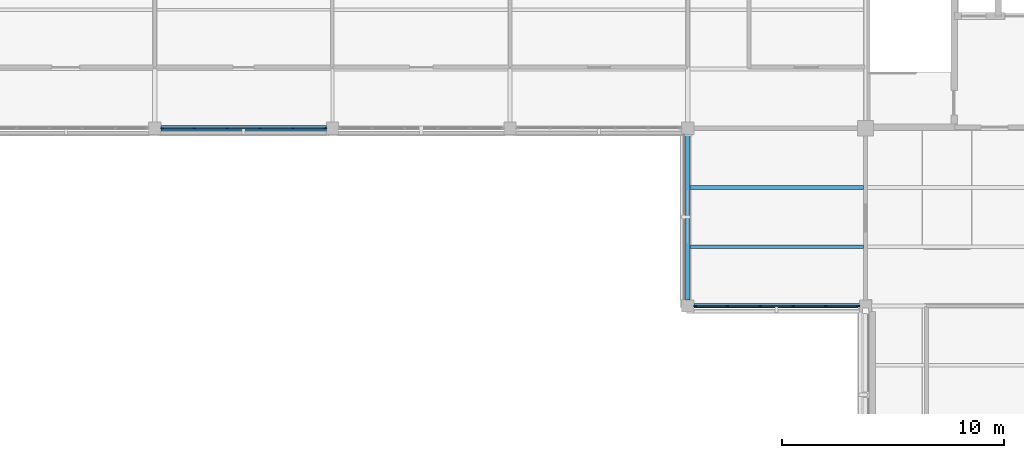
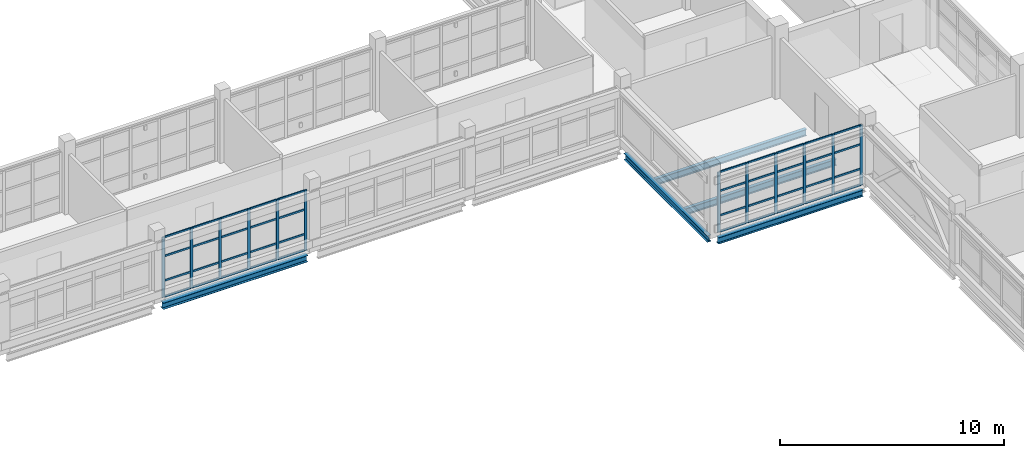
# One storey, part 10 of 92: 52 members, 5 beams, 2 elements without a shape of their own.
"""IFC4 building model written with IfcOpenShell, lengths in metres."""

import ifcopenshell
import ifcopenshell.guid

model = None  # the IFC model being written
_history = None  # IfcOwnerHistory: only IFC2X3 demands one
_inside = {}  # id of a spatial element -> (the spatial element, [elements in it])
_under = {}  # id of a project, library or spatial element -> (it, [spatial elements below it])
_declared = {}  # id of a project -> (the project, [libraries it declares])
_typed = {}  # id of a type object -> (the type object, [elements of that type])
_made_of = {}  # id of a material, layer set ... -> (it, [elements and type objects made of it])


def new_model(schema):
    """Start an empty IFC model of exactly this schema.

    Asked for "IFC4X3", IfcOpenShell would pick the latest addendum, in which some entities
    have other attributes; the version numbers below select the first issue.
    IFC2X3 requires an IfcOwnerHistory on every rooted entity: one is made here for all.
    """
    global model, _history
    if schema == "IFC4X3":
        model = ifcopenshell.file(schema_version=(4, 3, 0, 0))
    else:
        model = ifcopenshell.file(schema=schema)
    _inside.clear()
    _under.clear()
    _declared.clear()
    _typed.clear()
    _made_of.clear()
    _history = None
    if model.schema == "IFC2X3":
        org = make("IfcOrganization", Name="unknown")
        user = make(
            "IfcPersonAndOrganization",
            ThePerson=make("IfcPerson", FamilyName="unknown"),
            TheOrganization=org,
        )
        app = make(
            "IfcApplication",
            ApplicationDeveloper=org,
            Version="unknown",
            ApplicationFullName="unknown",
            ApplicationIdentifier="unknown",
        )
        _history = make(
            "IfcOwnerHistory",
            OwningUser=user,
            OwningApplication=app,
            ChangeAction="ADDED",
            CreationDate=0,
        )
    return model


def make(cls, **values):
    """One entity of the class cls with the attributes given. An attribute that is None is left unset."""
    return model.create_entity(
        cls, **{name: value for name, value in values.items() if value is not None}
    )


def rooted(cls, **values):
    """An entity with a GlobalId (a new one), such as an element, a storey or a relation."""
    return make(cls, GlobalId=ifcopenshell.guid.new(), OwnerHistory=_history, **values)


def si_unit(unit_type, name, prefix=None):
    """IfcSIUnit, for example si_unit("LENGTHUNIT", "METRE", prefix="MILLI")."""
    return make("IfcSIUnit", UnitType=unit_type, Prefix=prefix, Name=name)


def derived_unit(unit_type, elements):
    """IfcDerivedUnit: a product of units, each with its exponent."""
    return make(
        "IfcDerivedUnit",
        Elements=[
            make("IfcDerivedUnitElement", Unit=unit, Exponent=power)
            for unit, power in elements
        ],
        UnitType=unit_type,
    )


def assignment(units):
    """IfcUnitAssignment: the units of a project."""
    return None if units is None else make("IfcUnitAssignment", Units=units)


def point(xyz):
    """IfcCartesianPoint."""
    return None if xyz is None else make("IfcCartesianPoint", Coordinates=xyz)


def direction(xyz):
    """IfcDirection."""
    return None if xyz is None else make("IfcDirection", DirectionRatios=xyz)


def frame(location, z_axis=None, x_axis=None):
    """IfcAxis2Placement3D, a coordinate frame: its origin and axes. An axis left out is left unset."""
    return make(
        "IfcAxis2Placement3D",
        Location=point(location),
        Axis=direction(z_axis),
        RefDirection=direction(x_axis),
    )


def frame_2d(location, x_axis=None):
    """IfcAxis2Placement2D, a coordinate frame in the plane: its origin and x axis."""
    return make(
        "IfcAxis2Placement2D", Location=point(location), RefDirection=direction(x_axis)
    )


def origin():
    """The frame at (0, 0, 0) with its axes left unset."""
    return frame((0.0, 0.0, 0.0))


def origin_2d():
    """The frame at (0, 0) in the plane with its x axis left unset."""
    return frame_2d((0.0, 0.0))


def place(relative_to, where):
    """IfcLocalPlacement: puts the frame where relative to a parent placement (None: the world)."""
    return make(
        "IfcLocalPlacement", PlacementRelTo=relative_to, RelativePlacement=where
    )


def context(
    kind, dimensions, precision=None, world=None, true_north=None, identifier=None
):
    """IfcGeometricRepresentationContext, for example the 3D "Model" context."""
    return make(
        "IfcGeometricRepresentationContext",
        ContextIdentifier=identifier,
        ContextType=kind,
        CoordinateSpaceDimension=dimensions,
        Precision=precision,
        WorldCoordinateSystem=world,
        TrueNorth=true_north,
    )


def subcontext(parent, identifier, kind, view, scale=None):
    """IfcGeometricRepresentationSubContext, for example "Body" below "Model"."""
    return make(
        "IfcGeometricRepresentationSubContext",
        ContextIdentifier=identifier,
        ContextType=kind,
        ParentContext=parent,
        TargetScale=scale,
        TargetView=view,
    )


def project(units=None, contexts=None):
    """IfcProject with its units and contexts."""
    return rooted(
        "IfcProject",
        Name="project",
        RepresentationContexts=contexts,
        UnitsInContext=assignment(units),
    )


def spatial(cls, under=None, at=None, **own):
    """A site, building, storey or space (cls), placed at a placement, below another one or the project."""
    s = rooted(cls, ObjectPlacement=at, **own)
    if under is not None:
        _under.setdefault(under.id(), (under, []))[1].append(s)
    return s


def profile(cls, at=None, kind="AREA", **sizes):
    """A parametric profile (cls). Its sizes go by their IFC names, for example OverallWidth=200.0."""
    return make(cls, ProfileType=kind, Position=at, **sizes)


def rectangle(**sizes):
    """IfcRectangleProfileDef."""
    return profile("IfcRectangleProfileDef", **sizes)


def i_section(**sizes):
    """IfcIShapeProfileDef."""
    return profile("IfcIShapeProfileDef", **sizes)


def extrude(swept, where, along, depth):
    """IfcExtrudedAreaSolid: the profile swept, set in the frame where, extruded along a direction by depth."""
    return make(
        "IfcExtrudedAreaSolid",
        SweptArea=swept,
        Position=where,
        ExtrudedDirection=direction(along),
        Depth=depth,
    )


def shape(context_of_items, identifier, shape_type, items):
    """IfcShapeRepresentation: the items that make up one representation, for example the "Body"."""
    return make(
        "IfcShapeRepresentation",
        ContextOfItems=context_of_items,
        RepresentationIdentifier=identifier,
        RepresentationType=shape_type,
        Items=items,
    )


def material(Name=None, Category=None):
    """IfcMaterial."""
    return make("IfcMaterial", Name=Name, Category=Category)


def layer(
    of_material, thickness, ventilated=None, Name=None, Category=None, Priority=None
):
    """IfcMaterialLayer: one layer of a wall or slab, of a material (None: an air gap)."""
    return make(
        "IfcMaterialLayer",
        Material=of_material,
        LayerThickness=thickness,
        IsVentilated=ventilated,
        Name=Name,
        Category=Category,
        Priority=Priority,
    )


def layer_set(layers, Name=None):
    """IfcMaterialLayerSet."""
    return make("IfcMaterialLayerSet", MaterialLayers=layers, LayerSetName=Name)


def material_profile(
    of_material, cross_section, Name=None, Category=None, Priority=None
):
    """IfcMaterialProfile: a cross section and its material."""
    return make(
        "IfcMaterialProfile",
        Name=Name,
        Material=of_material,
        Profile=cross_section,
        Priority=Priority,
        Category=Category,
    )


def profile_set(profiles, Name=None, composite=None):
    """IfcMaterialProfileSet."""
    return make(
        "IfcMaterialProfileSet",
        Name=Name,
        MaterialProfiles=profiles,
        CompositeProfile=composite,
    )


def made_of(thing, what):
    """Note that an element or type object is made of a material, layer set ...; save() writes the relation."""
    if what is not None:
        _made_of.setdefault(what.id(), (what, []))[1].append(thing)
    return thing


def type_object(cls, material=None, **own):
    """A type object (cls), such as IfcWallType, which elements share."""
    return made_of(rooted(cls, **own), material)


def element(
    cls,
    number,
    at=None,
    inside=None,
    cuts=None,
    type_object=None,
    material=None,
    context=None,
    identifier="Body",
    shape_type=None,
    held_by="IfcProductDefinitionShape",
    body=None,
    shapes=None,
    **own,
):
    """One element of the class cls, such as IfcWall. Its Tag is "e" and its number.

    at: its placement. inside: the storey or other place that contains it. cuts: it is an
    opening in that element (IfcRelVoidsElement). A single representation is given by context,
    identifier, shape_type and body (its items); several are given by shapes. held_by: the class
    of the entity that holds the representations. save() writes the other relations.
    """
    e = rooted(cls, Tag="e%d" % number, ObjectPlacement=at, **own)
    if body is not None:
        shapes = [shape(context, identifier, shape_type, body)]
    if shapes is not None:
        e.Representation = make(held_by, Representations=shapes)
    if inside is not None:
        _inside.setdefault(inside.id(), (inside, []))[1].append(e)
    if cuts is not None:
        rooted(
            "IfcRelVoidsElement", RelatingBuildingElement=cuts, RelatedOpeningElement=e
        )
    if type_object is not None:
        _typed.setdefault(type_object.id(), (type_object, []))[1].append(e)
    return made_of(e, material)


def aggregate(whole, parts):
    """IfcRelAggregates: a whole, such as a stair, and the parts it consists of."""
    return rooted("IfcRelAggregates", RelatingObject=whole, RelatedObjects=parts)


def save(model, path):
    """Write the relations noted so far, then the file.

    IfcRelAggregates (storeys below a building ...), IfcRelContainedInSpatialStructure (elements
    in a storey), IfcRelDefinesByType, IfcRelAssociatesMaterial and IfcRelDeclares: one each for
    every whole, place, type object, material and project.
    """
    for whole, parts in _under.values():
        aggregate(whole, parts)
    for where, things in _inside.values():
        rooted(
            "IfcRelContainedInSpatialStructure",
            RelatedElements=things,
            RelatingStructure=where,
        )
    for kind, things in _typed.values():
        rooted("IfcRelDefinesByType", RelatedObjects=things, RelatingType=kind)
    for what, things in _made_of.values():
        rooted("IfcRelAssociatesMaterial", RelatedObjects=things, RelatingMaterial=what)
    for by, libraries in _declared.values():
        rooted("IfcRelDeclares", RelatingContext=by, RelatedDefinitions=libraries)
    model.write(path)


model = new_model("IFC4")

# Units and contexts
model_context = context("Model", 3, precision=1e-05, world=origin(), true_north=direction((0.0, 1.0)))
body_context = subcontext(model_context, "Body", "Model", "MODEL_VIEW")
ifc_project = project(units=[si_unit("LENGTHUNIT", "METRE"), si_unit("AREAUNIT", "SQUARE_METRE"), si_unit("VOLUMEUNIT", "CUBIC_METRE"), si_unit("PLANEANGLEUNIT", "RADIAN"), si_unit("MASSUNIT", "GRAM", prefix="KILO"), derived_unit("THERMALTRANSMITTANCEUNIT", [(si_unit("MASSUNIT", "GRAM", prefix="KILO"), 1), (si_unit("TIMEUNIT", "SECOND"), -3), (si_unit("THERMODYNAMICTEMPERATUREUNIT", "KELVIN"), -1)])], contexts=[model_context])

# Site, building, storey
site_placement = place(None, origin())
site = spatial("IfcSite", under=ifc_project, at=site_placement, CompositionType="ELEMENT")
building_placement = place(site_placement, origin())
building = spatial("IfcBuilding", under=site, at=building_placement, Name="Veyamyaing Civic Hall", CompositionType="ELEMENT")
storey_placement = place(building_placement, frame((0.0, 0.0, 17.820068359375)))
storey = spatial("IfcBuildingStorey", under=building, at=storey_placement, Name="L04", CompositionType="ELEMENT", Elevation=17.820068359375)

# Beams
ifc_material_1 = material(Name="Steel ASTM A992", Category="steel")
ifc_material_profile_1 = material_profile(ifc_material_1, i_section(OverallWidth=0.2041015625, OverallDepth=0.35009765625, WebThickness=0.0078125, FlangeThickness=0.01513671875, FilletRadius=0.010009765625, at=origin_2d()), Name="W360X72")
ifc_profile_set_1 = profile_set([ifc_material_profile_1], Name="Steel ASTM A992")
beam_type_1 = type_object("IfcBeamType", Name="B-11", PredefinedType="SPANDREL", material=ifc_profile_set_1)
for number, where, z_axis, x_axis, name in (
    (1, (56.27490234375, 40.0, -0.41015625), (1.0, 0.0, 0.0), (0.0, 1.0, 0.0), "Girder B-11 L04 Grid F 8-9"),
    (2, (56.0, 40.27490234375, -0.41015625), (0.0, 1.0, 0.0), (-1.0, 0.0, 0.0), "Girder B-11 L04 Grid 8 F-G"),
):
    element("IfcBeam", number, at=place(storey_placement, frame(where, z_axis=z_axis, x_axis=x_axis)), inside=storey, type_object=beam_type_1, Name=name, PredefinedType="SPANDREL", context=body_context, shape_type="SweptSolid", body=[
        extrude(i_section(OverallWidth=0.2041015625, OverallDepth=0.35009765625, WebThickness=0.0078125, FlangeThickness=0.01513671875, FilletRadius=0.010009765625, at=origin_2d()), origin(), (0.0, 0.0, 1.0), 7.4501953125),
    ])
ifc_material_profile_2 = material_profile(ifc_material_1, i_section(OverallWidth=0.25390625, OverallDepth=0.35302734375, WebThickness=0.009521484375, FlangeThickness=0.016357421875, FilletRadius=0.011962890625, at=origin_2d()), Name="W360X91")
ifc_profile_set_2 = profile_set([ifc_material_profile_2], Name="Steel ASTM A992")
beam_type_2 = type_object("IfcBeamType", Name="B-20", PredefinedType="SPANDREL", material=ifc_profile_set_2)
beam_placement = place(storey_placement, frame((32.27490234375, 48.0, -0.41162109375), z_axis=(1.0, 0.0, 0.0), x_axis=(0.0, 1.0, 0.0)))
element("IfcBeam", 3, at=beam_placement, inside=storey, type_object=beam_type_2, Name="Girder B-20 L04 Grid G 5-6", PredefinedType="SPANDREL", context=body_context, shape_type="SweptSolid", body=[
    extrude(i_section(OverallWidth=0.25390625, OverallDepth=0.35302734375, WebThickness=0.009521484375, FlangeThickness=0.016357421875, FilletRadius=0.011962890625, at=origin_2d()), origin(), (0.0, 0.0, 1.0), 7.4501953125),
])

# Curtain wall, members
ifc_material_2 = material(Name="Anodised aluminium 6063-T6", Category="aluminium")
ifc_layer = layer(ifc_material_2, 0.139892578125, Name="Anodised aluminium 6063-T6")
ifc_layer_set = layer_set([ifc_layer], Name="Anodised aluminium 6063-T6")
curtain_wall_type = type_object("IfcCurtainWallType", Name="CW-04", PredefinedType="NOTDEFINED", material=ifc_layer_set)
curtain_wall_1_placement = place(storey_placement, origin())
curtain_wall_1 = element("IfcCurtainWall", 4, at=curtain_wall_1_placement, inside=storey, type_object=curtain_wall_type, Name="Unitized curtain wall CW-04 L04 S 5.7", PredefinedType="NOTDEFINED")
ifc_material_profile_3 = material_profile(ifc_material_2, rectangle(XDim=0.06005859375, YDim=0.139892578125, at=origin_2d()), Name="ALU-MUL-60X140")
ifc_profile_set_3 = profile_set([ifc_material_profile_3], Name="Anodised aluminium 6063-T6")
member_type_1 = type_object("IfcMemberType", Name="CWM-03", PredefinedType="MULLION", material=ifc_profile_set_3)
member_1_placement = place(storey_placement, frame((32.3349609375, 48.0, 0.0), z_axis=(0.0, 0.0, 1.0), x_axis=(0.0, 1.0, 0.0)))
member_1 = element("IfcMember", 5, at=member_1_placement, type_object=member_type_1, Name="CW-04 mullion 1", PredefinedType="MULLION", context=body_context, shape_type="SweptSolid", body=[
    extrude(rectangle(XDim=0.06005859375, YDim=0.139892578125, at=origin_2d()), origin(), (0.0, 0.0, 1.0), 3.288818359375),
])
member_2_placement = place(storey_placement, frame((33.782958984375, 48.0, 0.0), z_axis=(0.0, 0.0, 1.0), x_axis=(0.0, 1.0, 0.0)))
member_2 = element("IfcMember", 6, at=member_2_placement, type_object=member_type_1, Name="CW-04 mullion 2", PredefinedType="MULLION", context=body_context, shape_type="SweptSolid", body=[
    extrude(rectangle(XDim=0.06005859375, YDim=0.139892578125, at=origin_2d()), origin(), (0.0, 0.0, 1.0), 3.288818359375),
])
member_3_placement = place(storey_placement, frame((35.260986328125, 48.0, 0.0), z_axis=(0.0, 0.0, 1.0), x_axis=(0.0, 1.0, 0.0)))
member_3 = element("IfcMember", 7, at=member_3_placement, type_object=member_type_1, Name="CW-04 mullion 3", PredefinedType="MULLION", context=body_context, shape_type="SweptSolid", body=[
    extrude(rectangle(XDim=0.06005859375, YDim=0.139892578125, at=origin_2d()), origin(), (0.0, 0.0, 1.0), 3.288818359375),
])
member_4_placement = place(storey_placement, frame((36.739013671875, 48.0, 0.0), z_axis=(0.0, 0.0, 1.0), x_axis=(0.0, 1.0, 0.0)))
member_4 = element("IfcMember", 8, at=member_4_placement, type_object=member_type_1, Name="CW-04 mullion 4", PredefinedType="MULLION", context=body_context, shape_type="SweptSolid", body=[
    extrude(rectangle(XDim=0.06005859375, YDim=0.139892578125, at=origin_2d()), origin(), (0.0, 0.0, 1.0), 3.288818359375),
])
member_5_placement = place(storey_placement, frame((38.217041015625, 48.0, 0.0), z_axis=(0.0, 0.0, 1.0), x_axis=(0.0, 1.0, 0.0)))
member_5 = element("IfcMember", 9, at=member_5_placement, type_object=member_type_1, Name="CW-04 mullion 5", PredefinedType="MULLION", context=body_context, shape_type="SweptSolid", body=[
    extrude(rectangle(XDim=0.06005859375, YDim=0.139892578125, at=origin_2d()), origin(), (0.0, 0.0, 1.0), 3.288818359375),
])
member_6_placement = place(storey_placement, frame((39.6650390625, 48.0, 0.0), z_axis=(0.0, 0.0, 1.0), x_axis=(0.0, 1.0, 0.0)))
member_6 = element("IfcMember", 10, at=member_6_placement, type_object=member_type_1, Name="CW-04 mullion 6", PredefinedType="MULLION", context=body_context, shape_type="SweptSolid", body=[
    extrude(rectangle(XDim=0.06005859375, YDim=0.139892578125, at=origin_2d()), origin(), (0.0, 0.0, 1.0), 3.288818359375),
])

curtain_wall_2_placement = place(storey_placement, origin())
curtain_wall_2 = element("IfcCurtainWall", 11, at=curtain_wall_2_placement, inside=storey, type_object=curtain_wall_type, Name="Unitized curtain wall CW-04 L04 S 8.6", PredefinedType="NOTDEFINED")
member_7_placement = place(storey_placement, frame((56.3349609375, 40.0, 0.0), z_axis=(0.0, 0.0, 1.0), x_axis=(0.0, 1.0, 0.0)))
member_7 = element("IfcMember", 12, at=member_7_placement, type_object=member_type_1, Name="CW-04 mullion 1", PredefinedType="MULLION", context=body_context, shape_type="SweptSolid", body=[
    extrude(rectangle(XDim=0.06005859375, YDim=0.139892578125, at=origin_2d()), origin(), (0.0, 0.0, 1.0), 3.284912109375),
])
member_8_placement = place(storey_placement, frame((57.782958984375, 40.0, 0.0), z_axis=(0.0, 0.0, 1.0), x_axis=(0.0, 1.0, 0.0)))
member_8 = element("IfcMember", 13, at=member_8_placement, type_object=member_type_1, Name="CW-04 mullion 2", PredefinedType="MULLION", context=body_context, shape_type="SweptSolid", body=[
    extrude(rectangle(XDim=0.06005859375, YDim=0.139892578125, at=origin_2d()), origin(), (0.0, 0.0, 1.0), 3.284912109375),
])
member_9_placement = place(storey_placement, frame((59.260986328125, 40.0, 0.0), z_axis=(0.0, 0.0, 1.0), x_axis=(0.0, 1.0, 0.0)))
member_9 = element("IfcMember", 14, at=member_9_placement, type_object=member_type_1, Name="CW-04 mullion 3", PredefinedType="MULLION", context=body_context, shape_type="SweptSolid", body=[
    extrude(rectangle(XDim=0.06005859375, YDim=0.139892578125, at=origin_2d()), origin(), (0.0, 0.0, 1.0), 3.284912109375),
])
member_10_placement = place(storey_placement, frame((60.739013671875, 40.0, 0.0), z_axis=(0.0, 0.0, 1.0), x_axis=(0.0, 1.0, 0.0)))
member_10 = element("IfcMember", 15, at=member_10_placement, type_object=member_type_1, Name="CW-04 mullion 4", PredefinedType="MULLION", context=body_context, shape_type="SweptSolid", body=[
    extrude(rectangle(XDim=0.06005859375, YDim=0.139892578125, at=origin_2d()), origin(), (0.0, 0.0, 1.0), 3.284912109375),
])
member_11_placement = place(storey_placement, frame((62.217041015625, 40.0, 0.0), z_axis=(0.0, 0.0, 1.0), x_axis=(0.0, 1.0, 0.0)))
member_11 = element("IfcMember", 16, at=member_11_placement, type_object=member_type_1, Name="CW-04 mullion 5", PredefinedType="MULLION", context=body_context, shape_type="SweptSolid", body=[
    extrude(rectangle(XDim=0.06005859375, YDim=0.139892578125, at=origin_2d()), origin(), (0.0, 0.0, 1.0), 3.284912109375),
])
member_12_placement = place(storey_placement, frame((63.6650390625, 40.0, 0.0), z_axis=(0.0, 0.0, 1.0), x_axis=(0.0, 1.0, 0.0)))
member_12 = element("IfcMember", 17, at=member_12_placement, type_object=member_type_1, Name="CW-04 mullion 6", PredefinedType="MULLION", context=body_context, shape_type="SweptSolid", body=[
    extrude(rectangle(XDim=0.06005859375, YDim=0.139892578125, at=origin_2d()), origin(), (0.0, 0.0, 1.0), 3.284912109375),
])

# Member
ifc_material_profile_4 = material_profile(ifc_material_2, rectangle(XDim=0.06005859375, YDim=0.10009765625, at=origin_2d()), Name="ALU-TRN-60X100")
ifc_profile_set_4 = profile_set([ifc_material_profile_4], Name="Anodised aluminium 6063-T6")
member_type_2 = type_object("IfcMemberType", Name="CWT-03", PredefinedType="USERDEFINED", material=ifc_profile_set_4)
member_13_placement = place(storey_placement, frame((32.364990234375, 48.0, 0.030029296875), z_axis=(1.0, 0.0, 0.0), x_axis=(0.0, 1.0, 0.0)))
member_13 = element("IfcMember", 18, at=member_13_placement, type_object=member_type_2, Name="CW-04 transom 1.1", ObjectType="TRANSOM", PredefinedType="USERDEFINED", context=body_context, shape_type="SweptSolid", body=[
    extrude(rectangle(XDim=0.06005859375, YDim=0.10009765625, at=origin_2d()), origin(), (0.0, 0.0, 1.0), 1.387939453125),
])

member_14_placement = place(storey_placement, frame((32.364990234375, 48.0, 0.89990234375), z_axis=(1.0, 0.0, 0.0), x_axis=(0.0, 1.0, 0.0)))
member_14 = element("IfcMember", 19, at=member_14_placement, type_object=member_type_2, Name="CW-04 transom 1.2", ObjectType="TRANSOM", PredefinedType="USERDEFINED", context=body_context, shape_type="SweptSolid", body=[
    extrude(rectangle(XDim=0.06005859375, YDim=0.10009765625, at=origin_2d()), origin(), (0.0, 0.0, 1.0), 1.387939453125),
])

member_15_placement = place(storey_placement, frame((32.364990234375, 48.0, 2.236328125), z_axis=(1.0, 0.0, 0.0), x_axis=(0.0, 1.0, 0.0)))
member_15 = element("IfcMember", 20, at=member_15_placement, type_object=member_type_2, Name="CW-04 transom 1.3", ObjectType="TRANSOM", PredefinedType="USERDEFINED", context=body_context, shape_type="SweptSolid", body=[
    extrude(rectangle(XDim=0.06005859375, YDim=0.10009765625, at=origin_2d()), origin(), (0.0, 0.0, 1.0), 1.387939453125),
])

member_16_placement = place(storey_placement, frame((32.364990234375, 48.0, 3.259033203125), z_axis=(1.0, 0.0, 0.0), x_axis=(0.0, 1.0, 0.0)))
member_16 = element("IfcMember", 21, at=member_16_placement, type_object=member_type_2, Name="CW-04 transom 1.4", ObjectType="TRANSOM", PredefinedType="USERDEFINED", context=body_context, shape_type="SweptSolid", body=[
    extrude(rectangle(XDim=0.06005859375, YDim=0.10009765625, at=origin_2d()), origin(), (0.0, 0.0, 1.0), 1.387939453125),
])

member_17_placement = place(storey_placement, frame((33.81298828125, 48.0, 0.030029296875), z_axis=(1.0, 0.0, 0.0), x_axis=(0.0, 1.0, 0.0)))
member_17 = element("IfcMember", 22, at=member_17_placement, type_object=member_type_2, Name="CW-04 transom 2.1", ObjectType="TRANSOM", PredefinedType="USERDEFINED", context=body_context, shape_type="SweptSolid", body=[
    extrude(rectangle(XDim=0.06005859375, YDim=0.10009765625, at=origin_2d()), origin(), (0.0, 0.0, 1.0), 1.41796875),
])

member_18_placement = place(storey_placement, frame((33.81298828125, 48.0, 0.89990234375), z_axis=(1.0, 0.0, 0.0), x_axis=(0.0, 1.0, 0.0)))
member_18 = element("IfcMember", 23, at=member_18_placement, type_object=member_type_2, Name="CW-04 transom 2.2", ObjectType="TRANSOM", PredefinedType="USERDEFINED", context=body_context, shape_type="SweptSolid", body=[
    extrude(rectangle(XDim=0.06005859375, YDim=0.10009765625, at=origin_2d()), origin(), (0.0, 0.0, 1.0), 1.41796875),
])

member_19_placement = place(storey_placement, frame((33.81298828125, 48.0, 2.236328125), z_axis=(1.0, 0.0, 0.0), x_axis=(0.0, 1.0, 0.0)))
member_19 = element("IfcMember", 24, at=member_19_placement, type_object=member_type_2, Name="CW-04 transom 2.3", ObjectType="TRANSOM", PredefinedType="USERDEFINED", context=body_context, shape_type="SweptSolid", body=[
    extrude(rectangle(XDim=0.06005859375, YDim=0.10009765625, at=origin_2d()), origin(), (0.0, 0.0, 1.0), 1.41796875),
])

member_20_placement = place(storey_placement, frame((33.81298828125, 48.0, 3.259033203125), z_axis=(1.0, 0.0, 0.0), x_axis=(0.0, 1.0, 0.0)))
member_20 = element("IfcMember", 25, at=member_20_placement, type_object=member_type_2, Name="CW-04 transom 2.4", ObjectType="TRANSOM", PredefinedType="USERDEFINED", context=body_context, shape_type="SweptSolid", body=[
    extrude(rectangle(XDim=0.06005859375, YDim=0.10009765625, at=origin_2d()), origin(), (0.0, 0.0, 1.0), 1.41796875),
])

member_21_placement = place(storey_placement, frame((35.291015625, 48.0, 0.030029296875), z_axis=(1.0, 0.0, 0.0), x_axis=(0.0, 1.0, 0.0)))
member_21 = element("IfcMember", 26, at=member_21_placement, type_object=member_type_2, Name="CW-04 transom 3.1", ObjectType="TRANSOM", PredefinedType="USERDEFINED", context=body_context, shape_type="SweptSolid", body=[
    extrude(rectangle(XDim=0.06005859375, YDim=0.10009765625, at=origin_2d()), origin(), (0.0, 0.0, 1.0), 1.41796875),
])

member_22_placement = place(storey_placement, frame((35.291015625, 48.0, 0.89990234375), z_axis=(1.0, 0.0, 0.0), x_axis=(0.0, 1.0, 0.0)))
member_22 = element("IfcMember", 27, at=member_22_placement, type_object=member_type_2, Name="CW-04 transom 3.2", ObjectType="TRANSOM", PredefinedType="USERDEFINED", context=body_context, shape_type="SweptSolid", body=[
    extrude(rectangle(XDim=0.06005859375, YDim=0.10009765625, at=origin_2d()), origin(), (0.0, 0.0, 1.0), 1.41796875),
])

member_23_placement = place(storey_placement, frame((35.291015625, 48.0, 2.236328125), z_axis=(1.0, 0.0, 0.0), x_axis=(0.0, 1.0, 0.0)))
member_23 = element("IfcMember", 28, at=member_23_placement, type_object=member_type_2, Name="CW-04 transom 3.3", ObjectType="TRANSOM", PredefinedType="USERDEFINED", context=body_context, shape_type="SweptSolid", body=[
    extrude(rectangle(XDim=0.06005859375, YDim=0.10009765625, at=origin_2d()), origin(), (0.0, 0.0, 1.0), 1.41796875),
])

member_24_placement = place(storey_placement, frame((35.291015625, 48.0, 3.259033203125), z_axis=(1.0, 0.0, 0.0), x_axis=(0.0, 1.0, 0.0)))
member_24 = element("IfcMember", 29, at=member_24_placement, type_object=member_type_2, Name="CW-04 transom 3.4", ObjectType="TRANSOM", PredefinedType="USERDEFINED", context=body_context, shape_type="SweptSolid", body=[
    extrude(rectangle(XDim=0.06005859375, YDim=0.10009765625, at=origin_2d()), origin(), (0.0, 0.0, 1.0), 1.41796875),
])

member_25_placement = place(storey_placement, frame((36.76904296875, 48.0, 0.030029296875), z_axis=(1.0, 0.0, 0.0), x_axis=(0.0, 1.0, 0.0)))
member_25 = element("IfcMember", 30, at=member_25_placement, type_object=member_type_2, Name="CW-04 transom 4.1", ObjectType="TRANSOM", PredefinedType="USERDEFINED", context=body_context, shape_type="SweptSolid", body=[
    extrude(rectangle(XDim=0.06005859375, YDim=0.10009765625, at=origin_2d()), origin(), (0.0, 0.0, 1.0), 1.41796875),
])

member_26_placement = place(storey_placement, frame((36.76904296875, 48.0, 0.89990234375), z_axis=(1.0, 0.0, 0.0), x_axis=(0.0, 1.0, 0.0)))
member_26 = element("IfcMember", 31, at=member_26_placement, type_object=member_type_2, Name="CW-04 transom 4.2", ObjectType="TRANSOM", PredefinedType="USERDEFINED", context=body_context, shape_type="SweptSolid", body=[
    extrude(rectangle(XDim=0.06005859375, YDim=0.10009765625, at=origin_2d()), origin(), (0.0, 0.0, 1.0), 1.41796875),
])

member_27_placement = place(storey_placement, frame((36.76904296875, 48.0, 2.236328125), z_axis=(1.0, 0.0, 0.0), x_axis=(0.0, 1.0, 0.0)))
member_27 = element("IfcMember", 32, at=member_27_placement, type_object=member_type_2, Name="CW-04 transom 4.3", ObjectType="TRANSOM", PredefinedType="USERDEFINED", context=body_context, shape_type="SweptSolid", body=[
    extrude(rectangle(XDim=0.06005859375, YDim=0.10009765625, at=origin_2d()), origin(), (0.0, 0.0, 1.0), 1.41796875),
])

member_28_placement = place(storey_placement, frame((36.76904296875, 48.0, 3.259033203125), z_axis=(1.0, 0.0, 0.0), x_axis=(0.0, 1.0, 0.0)))
member_28 = element("IfcMember", 33, at=member_28_placement, type_object=member_type_2, Name="CW-04 transom 4.4", ObjectType="TRANSOM", PredefinedType="USERDEFINED", context=body_context, shape_type="SweptSolid", body=[
    extrude(rectangle(XDim=0.06005859375, YDim=0.10009765625, at=origin_2d()), origin(), (0.0, 0.0, 1.0), 1.41796875),
])

member_29_placement = place(storey_placement, frame((38.2470703125, 48.0, 0.030029296875), z_axis=(1.0, 0.0, 0.0), x_axis=(0.0, 1.0, 0.0)))
member_29 = element("IfcMember", 34, at=member_29_placement, type_object=member_type_2, Name="CW-04 transom 5.1", ObjectType="TRANSOM", PredefinedType="USERDEFINED", context=body_context, shape_type="SweptSolid", body=[
    extrude(rectangle(XDim=0.06005859375, YDim=0.10009765625, at=origin_2d()), origin(), (0.0, 0.0, 1.0), 1.387939453125),
])

member_30_placement = place(storey_placement, frame((38.2470703125, 48.0, 0.89990234375), z_axis=(1.0, 0.0, 0.0), x_axis=(0.0, 1.0, 0.0)))
member_30 = element("IfcMember", 35, at=member_30_placement, type_object=member_type_2, Name="CW-04 transom 5.2", ObjectType="TRANSOM", PredefinedType="USERDEFINED", context=body_context, shape_type="SweptSolid", body=[
    extrude(rectangle(XDim=0.06005859375, YDim=0.10009765625, at=origin_2d()), origin(), (0.0, 0.0, 1.0), 1.387939453125),
])

member_31_placement = place(storey_placement, frame((38.2470703125, 48.0, 2.236328125), z_axis=(1.0, 0.0, 0.0), x_axis=(0.0, 1.0, 0.0)))
member_31 = element("IfcMember", 36, at=member_31_placement, type_object=member_type_2, Name="CW-04 transom 5.3", ObjectType="TRANSOM", PredefinedType="USERDEFINED", context=body_context, shape_type="SweptSolid", body=[
    extrude(rectangle(XDim=0.06005859375, YDim=0.10009765625, at=origin_2d()), origin(), (0.0, 0.0, 1.0), 1.387939453125),
])

member_32_placement = place(storey_placement, frame((38.2470703125, 48.0, 3.259033203125), z_axis=(1.0, 0.0, 0.0), x_axis=(0.0, 1.0, 0.0)))
member_32 = element("IfcMember", 37, at=member_32_placement, type_object=member_type_2, Name="CW-04 transom 5.4", ObjectType="TRANSOM", PredefinedType="USERDEFINED", context=body_context, shape_type="SweptSolid", body=[
    extrude(rectangle(XDim=0.06005859375, YDim=0.10009765625, at=origin_2d()), origin(), (0.0, 0.0, 1.0), 1.387939453125),
])

aggregate(curtain_wall_1, [member_1, member_2, member_3, member_4, member_5, member_6, member_13, member_14, member_15, member_16, member_17, member_18, member_19, member_20, member_21, member_22, member_23, member_24, member_25, member_26, member_27, member_28, member_29, member_30, member_31, member_32])

member_33_placement = place(storey_placement, frame((56.364990234375, 40.0, 0.030029296875), z_axis=(1.0, 0.0, 0.0), x_axis=(0.0, 1.0, 0.0)))
member_33 = element("IfcMember", 38, at=member_33_placement, type_object=member_type_2, Name="CW-04 transom 1.1", ObjectType="TRANSOM", PredefinedType="USERDEFINED", context=body_context, shape_type="SweptSolid", body=[
    extrude(rectangle(XDim=0.06005859375, YDim=0.10009765625, at=origin_2d()), origin(), (0.0, 0.0, 1.0), 1.387939453125),
])

member_34_placement = place(storey_placement, frame((56.364990234375, 40.0, 0.89990234375), z_axis=(1.0, 0.0, 0.0), x_axis=(0.0, 1.0, 0.0)))
member_34 = element("IfcMember", 39, at=member_34_placement, type_object=member_type_2, Name="CW-04 transom 1.2", ObjectType="TRANSOM", PredefinedType="USERDEFINED", context=body_context, shape_type="SweptSolid", body=[
    extrude(rectangle(XDim=0.06005859375, YDim=0.10009765625, at=origin_2d()), origin(), (0.0, 0.0, 1.0), 1.387939453125),
])

member_35_placement = place(storey_placement, frame((56.364990234375, 40.0, 2.233642578125), z_axis=(1.0, 0.0, 0.0), x_axis=(0.0, 1.0, 0.0)))
member_35 = element("IfcMember", 40, at=member_35_placement, type_object=member_type_2, Name="CW-04 transom 1.3", ObjectType="TRANSOM", PredefinedType="USERDEFINED", context=body_context, shape_type="SweptSolid", body=[
    extrude(rectangle(XDim=0.06005859375, YDim=0.10009765625, at=origin_2d()), origin(), (0.0, 0.0, 1.0), 1.387939453125),
])

member_36_placement = place(storey_placement, frame((56.364990234375, 40.0, 3.2548828125), z_axis=(1.0, 0.0, 0.0), x_axis=(0.0, 1.0, 0.0)))
member_36 = element("IfcMember", 41, at=member_36_placement, type_object=member_type_2, Name="CW-04 transom 1.4", ObjectType="TRANSOM", PredefinedType="USERDEFINED", context=body_context, shape_type="SweptSolid", body=[
    extrude(rectangle(XDim=0.06005859375, YDim=0.10009765625, at=origin_2d()), origin(), (0.0, 0.0, 1.0), 1.387939453125),
])

member_37_placement = place(storey_placement, frame((57.81298828125, 40.0, 0.030029296875), z_axis=(1.0, 0.0, 0.0), x_axis=(0.0, 1.0, 0.0)))
member_37 = element("IfcMember", 42, at=member_37_placement, type_object=member_type_2, Name="CW-04 transom 2.1", ObjectType="TRANSOM", PredefinedType="USERDEFINED", context=body_context, shape_type="SweptSolid", body=[
    extrude(rectangle(XDim=0.06005859375, YDim=0.10009765625, at=origin_2d()), origin(), (0.0, 0.0, 1.0), 1.41796875),
])

member_38_placement = place(storey_placement, frame((57.81298828125, 40.0, 0.89990234375), z_axis=(1.0, 0.0, 0.0), x_axis=(0.0, 1.0, 0.0)))
member_38 = element("IfcMember", 43, at=member_38_placement, type_object=member_type_2, Name="CW-04 transom 2.2", ObjectType="TRANSOM", PredefinedType="USERDEFINED", context=body_context, shape_type="SweptSolid", body=[
    extrude(rectangle(XDim=0.06005859375, YDim=0.10009765625, at=origin_2d()), origin(), (0.0, 0.0, 1.0), 1.41796875),
])

member_39_placement = place(storey_placement, frame((57.81298828125, 40.0, 2.233642578125), z_axis=(1.0, 0.0, 0.0), x_axis=(0.0, 1.0, 0.0)))
member_39 = element("IfcMember", 44, at=member_39_placement, type_object=member_type_2, Name="CW-04 transom 2.3", ObjectType="TRANSOM", PredefinedType="USERDEFINED", context=body_context, shape_type="SweptSolid", body=[
    extrude(rectangle(XDim=0.06005859375, YDim=0.10009765625, at=origin_2d()), origin(), (0.0, 0.0, 1.0), 1.41796875),
])

member_40_placement = place(storey_placement, frame((57.81298828125, 40.0, 3.2548828125), z_axis=(1.0, 0.0, 0.0), x_axis=(0.0, 1.0, 0.0)))
member_40 = element("IfcMember", 45, at=member_40_placement, type_object=member_type_2, Name="CW-04 transom 2.4", ObjectType="TRANSOM", PredefinedType="USERDEFINED", context=body_context, shape_type="SweptSolid", body=[
    extrude(rectangle(XDim=0.06005859375, YDim=0.10009765625, at=origin_2d()), origin(), (0.0, 0.0, 1.0), 1.41796875),
])

member_41_placement = place(storey_placement, frame((59.291015625, 40.0, 0.030029296875), z_axis=(1.0, 0.0, 0.0), x_axis=(0.0, 1.0, 0.0)))
member_41 = element("IfcMember", 46, at=member_41_placement, type_object=member_type_2, Name="CW-04 transom 3.1", ObjectType="TRANSOM", PredefinedType="USERDEFINED", context=body_context, shape_type="SweptSolid", body=[
    extrude(rectangle(XDim=0.06005859375, YDim=0.10009765625, at=origin_2d()), origin(), (0.0, 0.0, 1.0), 1.41796875),
])

member_42_placement = place(storey_placement, frame((59.291015625, 40.0, 0.89990234375), z_axis=(1.0, 0.0, 0.0), x_axis=(0.0, 1.0, 0.0)))
member_42 = element("IfcMember", 47, at=member_42_placement, type_object=member_type_2, Name="CW-04 transom 3.2", ObjectType="TRANSOM", PredefinedType="USERDEFINED", context=body_context, shape_type="SweptSolid", body=[
    extrude(rectangle(XDim=0.06005859375, YDim=0.10009765625, at=origin_2d()), origin(), (0.0, 0.0, 1.0), 1.41796875),
])

member_43_placement = place(storey_placement, frame((59.291015625, 40.0, 2.233642578125), z_axis=(1.0, 0.0, 0.0), x_axis=(0.0, 1.0, 0.0)))
member_43 = element("IfcMember", 48, at=member_43_placement, type_object=member_type_2, Name="CW-04 transom 3.3", ObjectType="TRANSOM", PredefinedType="USERDEFINED", context=body_context, shape_type="SweptSolid", body=[
    extrude(rectangle(XDim=0.06005859375, YDim=0.10009765625, at=origin_2d()), origin(), (0.0, 0.0, 1.0), 1.41796875),
])

member_44_placement = place(storey_placement, frame((59.291015625, 40.0, 3.2548828125), z_axis=(1.0, 0.0, 0.0), x_axis=(0.0, 1.0, 0.0)))
member_44 = element("IfcMember", 49, at=member_44_placement, type_object=member_type_2, Name="CW-04 transom 3.4", ObjectType="TRANSOM", PredefinedType="USERDEFINED", context=body_context, shape_type="SweptSolid", body=[
    extrude(rectangle(XDim=0.06005859375, YDim=0.10009765625, at=origin_2d()), origin(), (0.0, 0.0, 1.0), 1.41796875),
])

member_45_placement = place(storey_placement, frame((60.76904296875, 40.0, 0.030029296875), z_axis=(1.0, 0.0, 0.0), x_axis=(0.0, 1.0, 0.0)))
member_45 = element("IfcMember", 50, at=member_45_placement, type_object=member_type_2, Name="CW-04 transom 4.1", ObjectType="TRANSOM", PredefinedType="USERDEFINED", context=body_context, shape_type="SweptSolid", body=[
    extrude(rectangle(XDim=0.06005859375, YDim=0.10009765625, at=origin_2d()), origin(), (0.0, 0.0, 1.0), 1.41796875),
])

member_46_placement = place(storey_placement, frame((60.76904296875, 40.0, 0.89990234375), z_axis=(1.0, 0.0, 0.0), x_axis=(0.0, 1.0, 0.0)))
member_46 = element("IfcMember", 51, at=member_46_placement, type_object=member_type_2, Name="CW-04 transom 4.2", ObjectType="TRANSOM", PredefinedType="USERDEFINED", context=body_context, shape_type="SweptSolid", body=[
    extrude(rectangle(XDim=0.06005859375, YDim=0.10009765625, at=origin_2d()), origin(), (0.0, 0.0, 1.0), 1.41796875),
])

member_47_placement = place(storey_placement, frame((60.76904296875, 40.0, 2.233642578125), z_axis=(1.0, 0.0, 0.0), x_axis=(0.0, 1.0, 0.0)))
member_47 = element("IfcMember", 52, at=member_47_placement, type_object=member_type_2, Name="CW-04 transom 4.3", ObjectType="TRANSOM", PredefinedType="USERDEFINED", context=body_context, shape_type="SweptSolid", body=[
    extrude(rectangle(XDim=0.06005859375, YDim=0.10009765625, at=origin_2d()), origin(), (0.0, 0.0, 1.0), 1.41796875),
])

member_48_placement = place(storey_placement, frame((60.76904296875, 40.0, 3.2548828125), z_axis=(1.0, 0.0, 0.0), x_axis=(0.0, 1.0, 0.0)))
member_48 = element("IfcMember", 53, at=member_48_placement, type_object=member_type_2, Name="CW-04 transom 4.4", ObjectType="TRANSOM", PredefinedType="USERDEFINED", context=body_context, shape_type="SweptSolid", body=[
    extrude(rectangle(XDim=0.06005859375, YDim=0.10009765625, at=origin_2d()), origin(), (0.0, 0.0, 1.0), 1.41796875),
])

member_49_placement = place(storey_placement, frame((62.2470703125, 40.0, 0.030029296875), z_axis=(1.0, 0.0, 0.0), x_axis=(0.0, 1.0, 0.0)))
member_49 = element("IfcMember", 54, at=member_49_placement, type_object=member_type_2, Name="CW-04 transom 5.1", ObjectType="TRANSOM", PredefinedType="USERDEFINED", context=body_context, shape_type="SweptSolid", body=[
    extrude(rectangle(XDim=0.06005859375, YDim=0.10009765625, at=origin_2d()), origin(), (0.0, 0.0, 1.0), 1.387939453125),
])

member_50_placement = place(storey_placement, frame((62.2470703125, 40.0, 0.89990234375), z_axis=(1.0, 0.0, 0.0), x_axis=(0.0, 1.0, 0.0)))
member_50 = element("IfcMember", 55, at=member_50_placement, type_object=member_type_2, Name="CW-04 transom 5.2", ObjectType="TRANSOM", PredefinedType="USERDEFINED", context=body_context, shape_type="SweptSolid", body=[
    extrude(rectangle(XDim=0.06005859375, YDim=0.10009765625, at=origin_2d()), origin(), (0.0, 0.0, 1.0), 1.387939453125),
])

member_51_placement = place(storey_placement, frame((62.2470703125, 40.0, 2.233642578125), z_axis=(1.0, 0.0, 0.0), x_axis=(0.0, 1.0, 0.0)))
member_51 = element("IfcMember", 56, at=member_51_placement, type_object=member_type_2, Name="CW-04 transom 5.3", ObjectType="TRANSOM", PredefinedType="USERDEFINED", context=body_context, shape_type="SweptSolid", body=[
    extrude(rectangle(XDim=0.06005859375, YDim=0.10009765625, at=origin_2d()), origin(), (0.0, 0.0, 1.0), 1.387939453125),
])

member_52_placement = place(storey_placement, frame((62.2470703125, 40.0, 3.2548828125), z_axis=(1.0, 0.0, 0.0), x_axis=(0.0, 1.0, 0.0)))
member_52 = element("IfcMember", 57, at=member_52_placement, type_object=member_type_2, Name="CW-04 transom 5.4", ObjectType="TRANSOM", PredefinedType="USERDEFINED", context=body_context, shape_type="SweptSolid", body=[
    extrude(rectangle(XDim=0.06005859375, YDim=0.10009765625, at=origin_2d()), origin(), (0.0, 0.0, 1.0), 1.387939453125),
])

aggregate(curtain_wall_2, [member_7, member_8, member_9, member_10, member_11, member_12, member_33, member_34, member_35, member_36, member_37, member_38, member_39, member_40, member_41, member_42, member_43, member_44, member_45, member_46, member_47, member_48, member_49, member_50, member_51, member_52])

# Beams
ifc_material_profile_5 = material_profile(ifc_material_1, i_section(OverallWidth=0.172119140625, OverallDepth=0.35791015625, WebThickness=0.0078125, FlangeThickness=0.01318359375, FilletRadius=0.010009765625, at=origin_2d()), Name="W360X57")
ifc_profile_set_5 = profile_set([ifc_material_profile_5], Name="Steel ASTM A992")
beam_type_3 = type_object("IfcBeamType", Name="J-02", PredefinedType="JOIST", material=ifc_profile_set_5)
for number, where, z_axis, x_axis, name in (
    (58, (56.10009765625, 42.666748046875, -0.4140625), (1.0, 0.0, 0.0), (0.0, 1.0, 0.0), "Composite floor joist J-02 L04 8.6.1"),
    (59, (56.10009765625, 45.333251953125, -0.4140625), (1.0, 0.0, 0.0), (0.0, 1.0, 0.0), "Composite floor joist J-02 L04 8.6.2"),
):
    element("IfcBeam", number, at=place(storey_placement, frame(where, z_axis=z_axis, x_axis=x_axis)), inside=storey, type_object=beam_type_3, Name=name, PredefinedType="JOIST", context=body_context, shape_type="SweptSolid", body=[
        extrude(i_section(OverallWidth=0.172119140625, OverallDepth=0.35791015625, WebThickness=0.0078125, FlangeThickness=0.01318359375, FilletRadius=0.010009765625, at=origin_2d()), origin(), (0.0, 0.0, 1.0), 7.806884765625),
    ])

save(model, "model.ifc")
